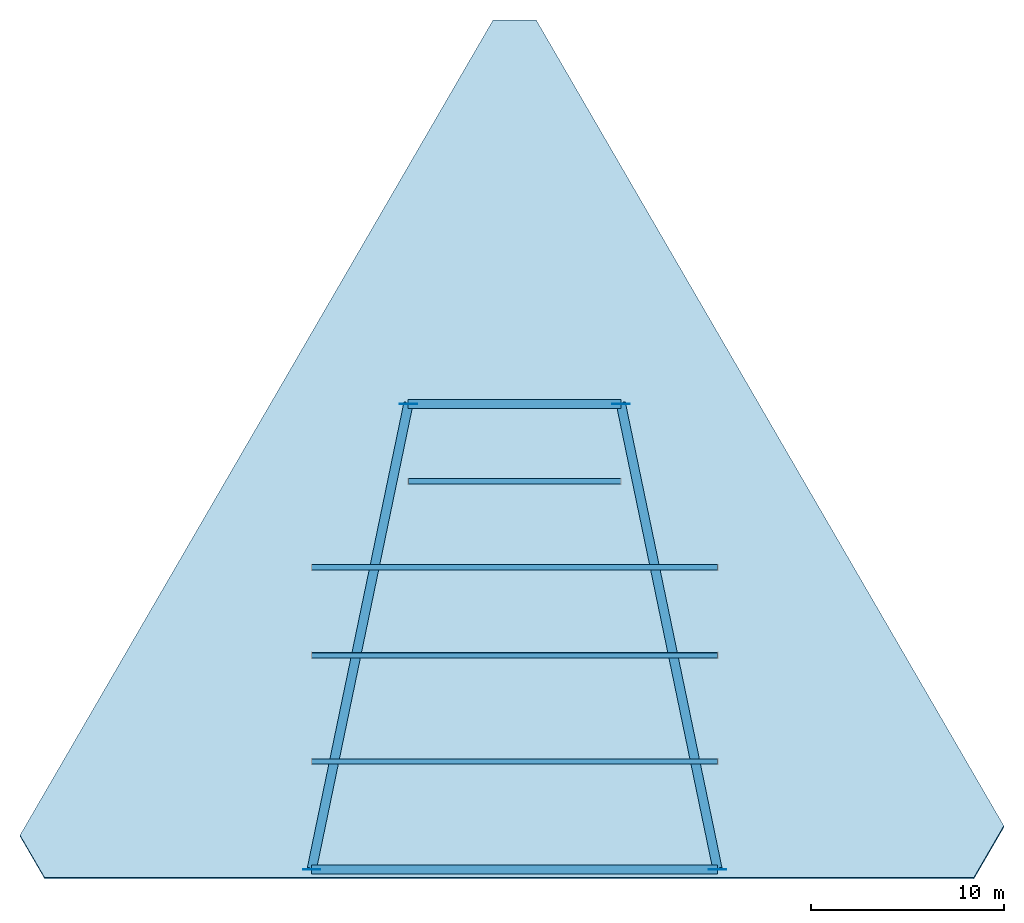
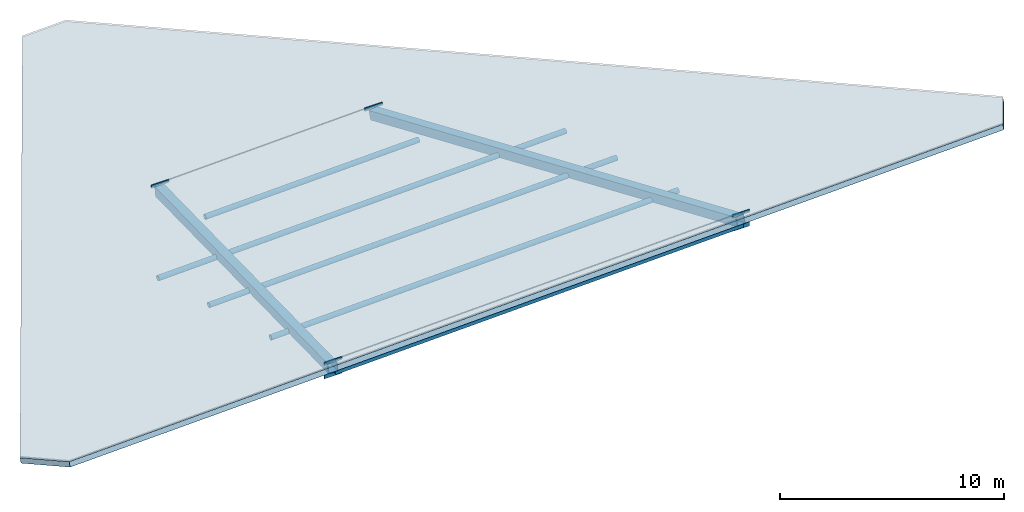
# One storey, part 1 of 4: 8 members, 4 plates, 1 slab.
"""IFC4 building model written with IfcOpenShell, lengths in metres."""

from ifc_helpers import new_model, si_unit, direction, frame, origin, origin_2d, place, context, subcontext, project, spatial, polyline, rectangle, hollow_rectangle, hollow_circle, outline, extrude, source, transform, mapped, material, layer, layer_set, material_profile, profile_set, type_object, type_shapes, element, save


model = new_model("IFC4")

# Units and contexts
model_context = context("Model", 3, precision=1e-05, world=origin(), true_north=direction((0.0, 1.0)))
body_context = subcontext(model_context, "Body", "Model", "MODEL_VIEW")
ifc_project = project(units=[si_unit("LENGTHUNIT", "METRE"), si_unit("AREAUNIT", "SQUARE_METRE"), si_unit("VOLUMEUNIT", "CUBIC_METRE"), si_unit("PLANEANGLEUNIT", "RADIAN"), si_unit("MASSUNIT", "GRAM", prefix="KILO")], contexts=[model_context])

# Site, building, storey
site_placement = place(None, origin())
site = spatial("IfcSite", under=ifc_project, at=site_placement, CompositionType="ELEMENT")
building_placement = place(site_placement, origin())
building = spatial("IfcBuilding", under=site, at=building_placement, Name="Varnakhor Terracotta Tower", CompositionType="ELEMENT")
storey_placement = place(building_placement, frame((0.0, 0.0, 333.10009765625)))
storey = spatial("IfcBuildingStorey", under=building, at=storey_placement, Name="RF", CompositionType="ELEMENT", Elevation=333.10009765625)

# Members
ifc_material_1 = material(Name="Steel S355", Category="steel")
ifc_material_profile_1 = material_profile(ifc_material_1, hollow_rectangle(XDim=0.47998046875, YDim=0.47998046875, WallThickness=0.030029296875, at=origin_2d()), Name="HSS480X480X30")
ifc_profile_set_1 = profile_set([ifc_material_profile_1], Name="Steel S355")
member_type_1 = type_object("IfcMemberType", Name="CROWN FRAME HSS480", PredefinedType="BRACE", material=ifc_profile_set_1)
shared_shape_1 = source(origin(), body_context, "Body", "SweptSolid", [
    extrude(hollow_rectangle(XDim=0.47998046875, YDim=0.47998046875, WallThickness=0.030029296875, at=origin_2d()), origin(), (0.0, 0.0, 1.0), 21.0107421875),
])
type_shapes(member_type_1, [shared_shape_1])
member_1_placement = place(storey_placement, frame((-10.5, 0.419921875, 9.20849609375), z_axis=(0.999488211596, 0.0, 0.031989293231), x_axis=(0.0, 1.0, 0.0)))
element("IfcMember", 1, at=member_1_placement, inside=storey, type_object=member_type_1, Name="Crown Sloped Ring Frame 1", PredefinedType="BRACE", context=body_context, shape_type="MappedRepresentation", body=[
    mapped(shared_shape_1, transform((0.0, 0.0, 0.0), scale=1.0)),
])
shared_shape_2 = source(origin(), body_context, "Body", "SweptSolid", [
    extrude(hollow_rectangle(XDim=0.47998046875, YDim=0.47998046875, WallThickness=0.030029296875, at=origin_2d()), origin(), (0.0, 0.0, 1.0), 25.576904296875),
])
member_2_placement = place(storey_placement, frame((10.5, 0.419921875, 9.880615234375), z_axis=(-0.195489770088, 0.941481787272, -0.274582945623), x_axis=(-0.979115646547, -0.203304084286, 0.0)))
element("IfcMember", 2, at=member_2_placement, inside=storey, type_object=member_type_1, Name="Crown Sloped Ring Frame 2", PredefinedType="BRACE", context=body_context, shape_type="MappedRepresentation", body=[
    mapped(shared_shape_2, transform((0.0, 0.0, 0.0), scale=1.0)),
])
shared_shape_3 = source(origin(), body_context, "Body", "SweptSolid", [
    extrude(hollow_rectangle(XDim=0.47998046875, YDim=0.47998046875, WallThickness=0.030029296875, at=origin_2d()), origin(), (0.0, 0.0, 1.0), 11.005615234375),
])
member_3_placement = place(storey_placement, frame((5.5, 24.5, 2.857666015625), z_axis=(-0.999488245369, 0.0, -0.031988237967), x_axis=(0.0, -1.0, 0.0)))
element("IfcMember", 3, at=member_3_placement, inside=storey, type_object=member_type_1, Name="Crown Sloped Ring Frame 3", PredefinedType="BRACE", context=body_context, shape_type="MappedRepresentation", body=[
    mapped(shared_shape_3, transform((0.0, 0.0, 0.0), scale=1.0)),
])
shared_shape_4 = source(origin(), body_context, "Body", "SweptSolid", [
    extrude(hollow_rectangle(XDim=0.47998046875, YDim=0.47998046875, WallThickness=0.030029296875, at=origin_2d()), origin(), (0.0, 0.0, 1.0), 25.49072265625),
])
member_4_placement = place(storey_placement, frame((-5.5, 24.5, 2.505615234375), z_axis=(-0.196149517448, -0.944659140867, 0.262953369216), x_axis=(0.979115646547, -0.203304084286, 0.0)))
element("IfcMember", 4, at=member_4_placement, inside=storey, type_object=member_type_1, Name="Crown Sloped Ring Frame 4", PredefinedType="BRACE", context=body_context, shape_type="MappedRepresentation", body=[
    mapped(shared_shape_4, transform((0.0, 0.0, 0.0), scale=1.0)),
])
ifc_material_profile_2 = material_profile(ifc_material_1, hollow_circle(Radius=0.136474609375, WallThickness=0.01611328125, at=origin_2d()), Name="CHS273X16")
ifc_profile_set_2 = profile_set([ifc_material_profile_2], Name="Steel S355")
member_type_2 = type_object("IfcMemberType", Name="MBR-PURLIN-CHS273", PredefinedType="PURLIN", material=ifc_profile_set_2)
shared_shape_5 = source(origin(), body_context, "Body", "SweptSolid", [
    extrude(hollow_circle(Radius=0.136474609375, WallThickness=0.01611328125, at=origin_2d()), origin(), (0.0, 0.0, 1.0), 21.0107421875),
])
type_shapes(member_type_2, [shared_shape_5])
for number, where, z_axis, x_axis, name in (
    (5, (-10.5, 6.0, 7.463134765625), (0.999488211596, 0.0, 0.031989293231), (0.0, 1.0, 0.0), "Crown Sloped Roof Purlin 1"),
    (6, (-10.5, 11.5, 5.895751953125), (0.999488583047, 0.0, 0.031977685321), (0.0, 1.0, 0.0), "Crown Sloped Roof Purlin 2"),
    (7, (-10.5, 16.050048828125, 4.598876953125), (0.999488211596, 0.0, 0.031989293231), (0.0, 1.0, 0.0), "Crown Sloped Roof Purlin 3"),
):
    element("IfcMember", number, at=place(storey_placement, frame(where, z_axis=z_axis, x_axis=x_axis)), inside=storey, type_object=member_type_2, Name=name, PredefinedType="PURLIN", context=body_context, shape_type="MappedRepresentation", body=[
        mapped(shared_shape_5, transform((0.0, 0.0, 0.0), scale=1.0)),
    ])
shared_shape_6 = source(origin(), body_context, "Body", "SweptSolid", [
    extrude(hollow_circle(Radius=0.136474609375, WallThickness=0.01611328125, at=origin_2d()), origin(), (0.0, 0.0, 1.0), 11.005615234375),
])
member_5_placement = place(storey_placement, frame((-5.5, 20.5, 3.49072265625), z_axis=(0.999488245369, 0.0, 0.031988237967), x_axis=(0.0, 1.0, 0.0)))
element("IfcMember", 8, at=member_5_placement, inside=storey, type_object=member_type_2, Name="Crown Sloped Roof Purlin 4", PredefinedType="PURLIN", context=body_context, shape_type="MappedRepresentation", body=[
    mapped(shared_shape_6, transform((0.0, 0.0, 0.0), scale=1.0)),
])

# Slab
ifc_material_2 = material(Name="Concrete C40/50", Category="concrete")
ifc_layer_1 = layer(ifc_material_2, 0.264892578125, Name="Concrete C40/50")
ifc_layer_set_1 = layer_set([ifc_layer_1], Name="Concrete C40/50")
slab_type = type_object("IfcSlabType", Name="SLB-ROOF-SLOPED-265", PredefinedType="ROOF", material=ifc_layer_set_1)
slab_placement = place(storey_placement, frame((-24.32421875, 0.0, 9.181396484375), z_axis=(-0.030760405092, 0.273952799302, 0.961251091668), x_axis=(0.999488375364, -5.72178e-07, 0.031984175963)))
element("IfcSlab", 9, at=slab_placement, inside=storey, type_object=slab_type, Name="Slanted-Cut Crown Roof Slab", PredefinedType="ROOF", context=body_context, shape_type="SweptSolid", body=[
    extrude(outline(polyline([(0.0, 0.0), (48.10884527689162, 0.0), (49.6365418175239, 2.779657471158808), (25.047517720622935, 46.13412276363741), (22.816886074332736, 46.1341062273431), (-1.2896266298162693, 2.2742199101638616), (0.0, 0.0)])), origin(), (0.0, 0.0, -1.0), 0.264892578125),
])

# Plates
ifc_layer_2 = layer(ifc_material_1, 0.031982421875, Name="Steel S355")
ifc_layer_set_2 = layer_set([ifc_layer_2], Name="Steel S355")
plate_type = type_object("IfcPlateType", Name="PLT-GUSSET-32", PredefinedType="USERDEFINED", material=ifc_layer_set_2)
shared_shape_7 = source(origin(), body_context, "Body", "SweptSolid", [
    extrude(rectangle(XDim=0.89990234375, YDim=0.031982421875, at=origin_2d()), origin(), (0.0, 0.0, 1.0), 0.89990234375),
])
type_shapes(plate_type, [shared_shape_7])
for number, where, z_axis, x_axis, name in (
    (10, (-10.5, 0.419921875, 8.758544921875), (0.0, 0.0, 1.0), (1.0, 0.0, 0.0), "Crown Node Gusset Plate 1"),
    (11, (10.5, 0.419921875, 9.4306640625), (0.0, 0.0, 1.0), (1.0, 0.0, 0.0), "Crown Node Gusset Plate 2"),
    (12, (5.5, 24.5, 2.40771484375), (0.0, 0.0, 1.0), (1.0, 0.0, 0.0), "Crown Node Gusset Plate 3"),
    (13, (-5.5, 24.5, 2.0556640625), (0.0, 0.0, 1.0), (1.0, 0.0, 0.0), "Crown Node Gusset Plate 4"),
):
    element("IfcPlate", number, at=place(storey_placement, frame(where, z_axis=z_axis, x_axis=x_axis)), inside=storey, type_object=plate_type, Name=name, ObjectType="GUSSET PLATE", PredefinedType="USERDEFINED", context=body_context, shape_type="MappedRepresentation", body=[
        mapped(shared_shape_7, transform((0.0, 0.0, 0.0), scale=1.0)),
    ])

save(model, "model.ifc")
